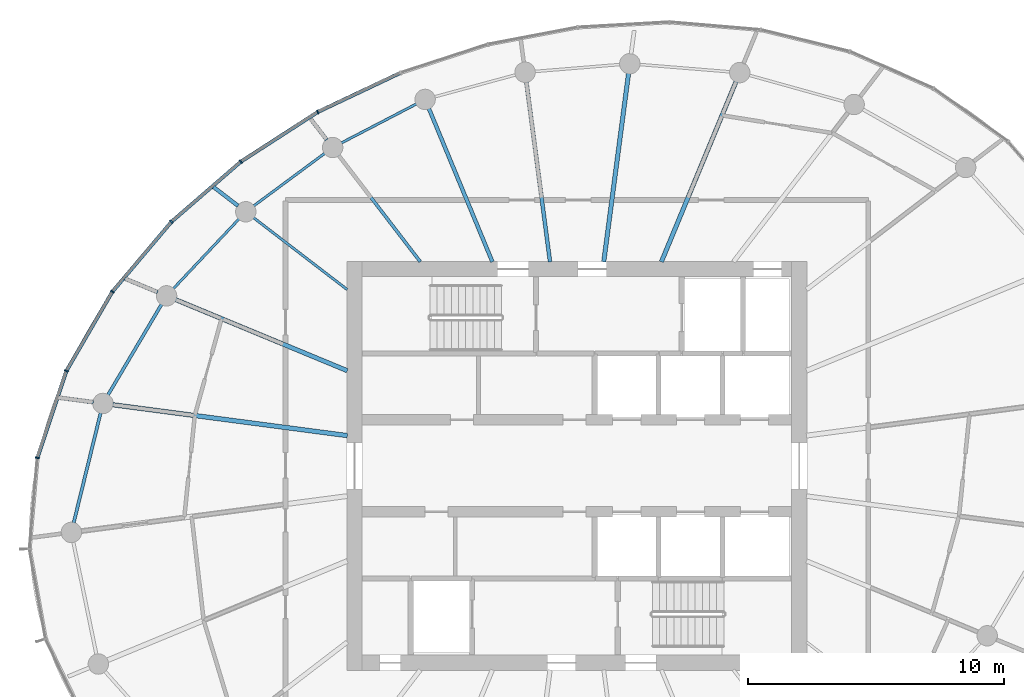
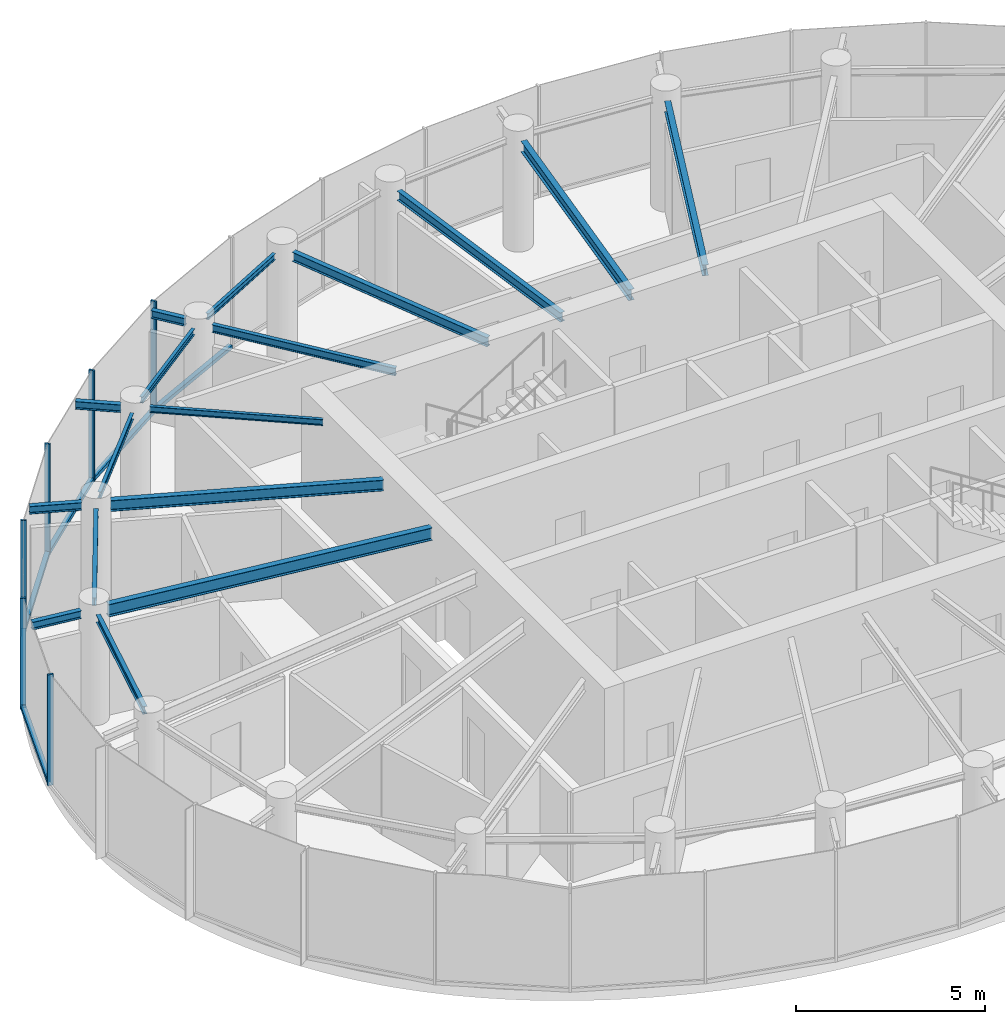
# One storey, part 4 of 13: 17 beams, 12 members, 2 elements without a shape of their own.
"""IFC4 building model written with IfcOpenShell, lengths in metres."""

from ifc_helpers import new_model, si_unit, direction, frame, origin, origin_2d, place, context, subcontext, project, spatial, rectangle, i_section, extrude, source, transform, mapped, material, layer, layer_set, material_profile, profile_set, type_object, element, aggregate, save


model = new_model("IFC4")

# Units and contexts
model_context = context("Model", 3, precision=1e-05, world=origin(), true_north=direction((0.0, 1.0)))
body_context = subcontext(model_context, "Body", "Model", "MODEL_VIEW")
ifc_project = project(units=[si_unit("LENGTHUNIT", "METRE"), si_unit("AREAUNIT", "SQUARE_METRE"), si_unit("VOLUMEUNIT", "CUBIC_METRE"), si_unit("PLANEANGLEUNIT", "RADIAN"), si_unit("MASSUNIT", "GRAM", prefix="KILO")], contexts=[model_context])

# Site, building, storey
site_placement = place(None, origin())
site = spatial("IfcSite", under=ifc_project, at=site_placement, CompositionType="ELEMENT")
building_placement = place(site_placement, origin())
building = spatial("IfcBuilding", under=site, at=building_placement, Name="Spindrift Exchange Tower", CompositionType="ELEMENT")
storey_placement = place(building_placement, frame((0.0, 0.0, 250.10009765625)))
storey = spatial("IfcBuildingStorey", under=building, at=storey_placement, Name="L61", CompositionType="ELEMENT", Elevation=250.10009765625)

# Beams
ifc_material_1 = material(Name="Steel Grade 300", Category="steel")
ifc_material_profile_1 = material_profile(ifc_material_1, i_section(OverallWidth=0.1708984375, OverallDepth=0.35205078125, WebThickness=0.0068359375, FlangeThickness=0.009765625, FilletRadius=0.013916015625, at=origin_2d()), Name="360UB44.7")
ifc_profile_set_1 = profile_set([ifc_material_profile_1], Name="Steel Grade 300")
beam_type_1 = type_object("IfcBeamType", Name="Floor Beam 360UB44.7 Steel Grade 300", PredefinedType="BEAM", material=ifc_profile_set_1)
shared_shape_1 = source(origin(), body_context, "Body", "SweptSolid", [
    extrude(i_section(OverallWidth=0.1708984375, OverallDepth=0.35205078125, WebThickness=0.0068359375, FlangeThickness=0.009765625, FilletRadius=0.013916015625, at=origin_2d()), origin(), (0.0, 0.0, 1.0), 7.630859375),
])
beam_1_placement = place(storey_placement, frame((55.30615234375, 55.9814453125, 3.40380859375), z_axis=(0.382676740702, 0.92388230426, 0.0), x_axis=(-0.92388230426, 0.382676740702, 0.0)))
element("IfcBeam", 1, at=beam_1_placement, inside=storey, type_object=beam_type_1, Name="L61 radial beam R05A", PredefinedType="BEAM", context=body_context, shape_type="MappedRepresentation", body=[
    mapped(shared_shape_1, transform((0.0, 0.0, 0.0), scale=1.0)),
])
shared_shape_2 = source(origin(), body_context, "Body", "SweptSolid", [
    extrude(i_section(OverallWidth=0.1708984375, OverallDepth=0.35205078125, WebThickness=0.0068359375, FlangeThickness=0.009765625, FilletRadius=0.013916015625, at=origin_2d()), origin(), (0.0, 0.0, 1.0), 7.43798828125),
])
beam_2_placement = place(storey_placement, frame((53.050537109375, 55.980224609375, 3.40380859375), z_axis=(0.130540269579, 0.991443007953, 0.0), x_axis=(-0.991443007953, 0.130540269579, 0.0)))
element("IfcBeam", 2, at=beam_2_placement, inside=storey, type_object=beam_type_1, Name="L61 radial beam R06A", PredefinedType="BEAM", context=body_context, shape_type="MappedRepresentation", body=[
    mapped(shared_shape_2, transform((0.0, 0.0, 0.0), scale=1.0)),
])
ifc_material_profile_2 = material_profile(ifc_material_1, i_section(OverallWidth=0.14892578125, OverallDepth=0.298095703125, WebThickness=0.005615234375, FlangeThickness=0.008056640625, FilletRadius=0.012939453125, at=origin_2d()), Name="310UB32.0")
ifc_profile_set_2 = profile_set([ifc_material_profile_2], Name="Steel Grade 300")
beam_type_2 = type_object("IfcBeamType", Name="Floor Beam 310UB32.0 Steel Grade 300", PredefinedType="BEAM", material=ifc_profile_set_2)
shared_shape_3 = source(origin(), body_context, "Body", "SweptSolid", [
    extrude(i_section(OverallWidth=0.14892578125, OverallDepth=0.298095703125, WebThickness=0.005615234375, FlangeThickness=0.008056640625, FilletRadius=0.012939453125, at=origin_2d()), origin(), (0.0, 0.0, 1.0), 7.099853515625),
])
beam_3_placement = place(storey_placement, frame((50.949462890625, 55.980224609375, 3.430908203125), z_axis=(-0.130532789835, 0.991443992759, 0.0), x_axis=(-0.991443992759, -0.130532789835, 0.0)))
element("IfcBeam", 3, at=beam_3_placement, inside=storey, type_object=beam_type_2, Name="L61 radial beam R07A", PredefinedType="BEAM", context=body_context, shape_type="MappedRepresentation", body=[
    mapped(shared_shape_3, transform((0.0, 0.0, 0.0), scale=1.0)),
])
shared_shape_4 = source(origin(), body_context, "Body", "SweptSolid", [
    extrude(i_section(OverallWidth=0.14892578125, OverallDepth=0.298095703125, WebThickness=0.005615234375, FlangeThickness=0.008056640625, FilletRadius=0.012939453125, at=origin_2d()), origin(), (0.0, 0.0, 1.0), 6.495849609375),
])
beam_4_placement = place(storey_placement, frame((48.69384765625, 55.9814453125, 3.430908203125), z_axis=(-0.382677087308, 0.923882160695, 0.0), x_axis=(-0.923882160695, -0.382677087308, 0.0)))
element("IfcBeam", 4, at=beam_4_placement, inside=storey, type_object=beam_type_2, Name="L61 radial beam R08A", PredefinedType="BEAM", context=body_context, shape_type="MappedRepresentation", body=[
    mapped(shared_shape_4, transform((0.0, 0.0, 0.0), scale=1.0)),
])
ifc_material_profile_3 = material_profile(ifc_material_1, i_section(OverallWidth=0.1240234375, OverallDepth=0.248046875, WebThickness=0.0048828125, FlangeThickness=0.008056640625, FilletRadius=0.011962890625, at=origin_2d()), Name="250UB25.7")
ifc_profile_set_3 = profile_set([ifc_material_profile_3], Name="Steel Grade 300")
beam_type_3 = type_object("IfcBeamType", Name="Floor Beam 250UB25.7 Steel Grade 300", PredefinedType="BEAM", material=ifc_profile_set_3)
shared_shape_5 = source(origin(), body_context, "Body", "SweptSolid", [
    extrude(i_section(OverallWidth=0.1240234375, OverallDepth=0.248046875, WebThickness=0.0048828125, FlangeThickness=0.008056640625, FilletRadius=0.011962890625, at=origin_2d()), origin(), (0.0, 0.0, 1.0), 5.25341796875),
])
beam_5_placement = place(storey_placement, frame((45.87353515625, 55.984130859375, 3.455810546875), z_axis=(-0.608760287872, 0.793354215915, 0.0), x_axis=(-0.793354215915, -0.608760287872, 0.0)))
element("IfcBeam", 5, at=beam_5_placement, inside=storey, type_object=beam_type_3, Name="L61 radial beam R09A", PredefinedType="BEAM", context=body_context, shape_type="MappedRepresentation", body=[
    mapped(shared_shape_5, transform((0.0, 0.0, 0.0), scale=1.0)),
])
ifc_material_profile_4 = material_profile(ifc_material_1, i_section(OverallWidth=0.09912109375, OverallDepth=0.197998046875, WebThickness=0.00439453125, FlangeThickness=0.007080078125, FilletRadius=0.010986328125, at=origin_2d()), Name="200UB18.2")
ifc_profile_set_4 = profile_set([ifc_material_profile_4], Name="Steel Grade 300")
beam_type_4 = type_object("IfcBeamType", Name="Floor Beam 200UB18.2 Steel Grade 300", PredefinedType="BEAM", material=ifc_profile_set_4)
shared_shape_6 = source(origin(), body_context, "Body", "SweptSolid", [
    extrude(i_section(OverallWidth=0.09912109375, OverallDepth=0.197998046875, WebThickness=0.00439453125, FlangeThickness=0.007080078125, FilletRadius=0.010986328125, at=origin_2d()), origin(), (0.0, 0.0, 1.0), 4.622802734375),
])
beam_6_placement = place(storey_placement, frame((43.015869140625, 54.893798828125, 3.48095703125), z_axis=(-0.793347882225, 0.608768542033, 0.0), x_axis=(-0.608768542033, -0.793347882225, 0.0)))
element("IfcBeam", 6, at=beam_6_placement, inside=storey, type_object=beam_type_4, Name="L61 radial beam R10A", PredefinedType="BEAM", context=body_context, shape_type="MappedRepresentation", body=[
    mapped(shared_shape_6, transform((0.0, 0.0, 0.0), scale=1.0)),
])
shared_shape_7 = source(origin(), body_context, "Body", "SweptSolid", [
    extrude(i_section(OverallWidth=0.1708984375, OverallDepth=0.35205078125, WebThickness=0.0068359375, FlangeThickness=0.009765625, FilletRadius=0.013916015625, at=origin_2d()), origin(), (0.0, 0.0, 1.0), 7.272705078125),
])
beam_7_placement = place(storey_placement, frame((43.0185546875, 51.72021484375, 3.40380859375), z_axis=(-0.923874446092, 0.382695711836, 0.0), x_axis=(-0.382695711836, -0.923874446092, 0.0)))
element("IfcBeam", 7, at=beam_7_placement, inside=storey, type_object=beam_type_1, Name="L61 radial beam R11A", PredefinedType="BEAM", context=body_context, shape_type="MappedRepresentation", body=[
    mapped(shared_shape_7, transform((0.0, 0.0, 0.0), scale=1.0)),
])
ifc_material_profile_5 = material_profile(ifc_material_1, i_section(OverallWidth=0.177978515625, OverallDepth=0.403076171875, WebThickness=0.007568359375, FlangeThickness=0.010986328125, FilletRadius=0.013916015625, at=origin_2d()), Name="410UB53.7")
ifc_profile_set_5 = profile_set([ifc_material_profile_5], Name="Steel Grade 300")
beam_type_5 = type_object("IfcBeamType", Name="Floor Beam 410UB53.7 Steel Grade 300", PredefinedType="BEAM", material=ifc_profile_set_5)
shared_shape_8 = source(origin(), body_context, "Body", "SweptSolid", [
    extrude(i_section(OverallWidth=0.177978515625, OverallDepth=0.403076171875, WebThickness=0.007568359375, FlangeThickness=0.010986328125, FilletRadius=0.013916015625, at=origin_2d()), origin(), (0.0, 0.0, 1.0), 9.261962890625),
])
beam_8_placement = place(storey_placement, frame((43.019775390625, 49.182373046875, 3.37841796875), z_axis=(-0.991447744872, 0.130504288008, 0.0), x_axis=(-0.130504288008, -0.991447744872, 0.0)))
element("IfcBeam", 8, at=beam_8_placement, inside=storey, type_object=beam_type_5, Name="L61 radial beam R12A", PredefinedType="BEAM", context=body_context, shape_type="MappedRepresentation", body=[
    mapped(shared_shape_8, transform((0.0, 0.0, 0.0), scale=1.0)),
])
ifc_material_profile_6 = material_profile(ifc_material_1, i_section(OverallWidth=0.09912109375, OverallDepth=0.197998046875, WebThickness=0.00439453125, FlangeThickness=0.007080078125, FilletRadius=0.010986328125, at=origin_2d()), Name="200UB18.2")
ifc_profile_set_6 = profile_set([ifc_material_profile_6], Name="Steel Grade 300")
beam_type_6 = type_object("IfcBeamType", Name="Edge Beam 200UB18.2 Steel Grade 300", PredefinedType="SPANDREL", material=ifc_profile_set_6)
shared_shape_9 = source(origin(), body_context, "Body", "SweptSolid", [
    extrude(i_section(OverallWidth=0.09912109375, OverallDepth=0.197998046875, WebThickness=0.00439453125, FlangeThickness=0.007080078125, FilletRadius=0.010986328125, at=origin_2d()), origin(), (0.0, 0.0, 1.0), 3.31787109375),
])
beam_9_placement = place(storey_placement, frame((45.7255859375, 62.15869140625, 3.48095703125), z_axis=(-0.887327612278, -0.46113957593, 0.0), x_axis=(0.46113957593, -0.887327612278, 0.0)))
element("IfcBeam", 9, at=beam_9_placement, inside=storey, type_object=beam_type_6, Name="L61 edge beam E08", PredefinedType="SPANDREL", context=body_context, shape_type="MappedRepresentation", body=[
    mapped(shared_shape_9, transform((0.0, 0.0, 0.0), scale=1.0)),
])
shared_shape_10 = source(origin(), body_context, "Body", "SweptSolid", [
    extrude(i_section(OverallWidth=0.09912109375, OverallDepth=0.197998046875, WebThickness=0.00439453125, FlangeThickness=0.007080078125, FilletRadius=0.010986328125, at=origin_2d()), origin(), (0.0, 0.0, 1.0), 3.466552734375),
])
beam_10_placement = place(storey_placement, frame((42.138916015625, 60.227294921875, 3.48095703125), z_axis=(-0.803854022168, -0.594826622676, 0.0), x_axis=(0.594826622676, -0.803854022168, 0.0)))
element("IfcBeam", 10, at=beam_10_placement, inside=storey, type_object=beam_type_6, Name="L61 edge beam E09", PredefinedType="SPANDREL", context=body_context, shape_type="MappedRepresentation", body=[
    mapped(shared_shape_10, transform((0.0, 0.0, 0.0), scale=1.0)),
])
shared_shape_11 = source(origin(), body_context, "Body", "SweptSolid", [
    extrude(i_section(OverallWidth=0.09912109375, OverallDepth=0.197998046875, WebThickness=0.00439453125, FlangeThickness=0.007080078125, FilletRadius=0.010986328125, at=origin_2d()), origin(), (0.0, 0.0, 1.0), 3.759765625),
])
beam_11_placement = place(storey_placement, frame((38.786376953125, 57.66259765625, 3.48095703125), z_axis=(-0.685520646854, -0.72805318675, 0.0), x_axis=(0.72805318675, -0.685520646854, 0.0)))
element("IfcBeam", 11, at=beam_11_placement, inside=storey, type_object=beam_type_6, Name="L61 edge beam E10", PredefinedType="SPANDREL", context=body_context, shape_type="MappedRepresentation", body=[
    mapped(shared_shape_11, transform((0.0, 0.0, 0.0), scale=1.0)),
])
ifc_material_profile_7 = material_profile(ifc_material_1, i_section(OverallWidth=0.1240234375, OverallDepth=0.248046875, WebThickness=0.0048828125, FlangeThickness=0.008056640625, FilletRadius=0.011962890625, at=origin_2d()), Name="250UB25.7")
ifc_profile_set_7 = profile_set([ifc_material_profile_7], Name="Steel Grade 300")
beam_type_7 = type_object("IfcBeamType", Name="Edge Beam 250UB25.7 Steel Grade 300", PredefinedType="SPANDREL", material=ifc_profile_set_7)
shared_shape_12 = source(origin(), body_context, "Body", "SweptSolid", [
    extrude(i_section(OverallWidth=0.1240234375, OverallDepth=0.248046875, WebThickness=0.0048828125, FlangeThickness=0.008056640625, FilletRadius=0.011962890625, at=origin_2d()), origin(), (0.0, 0.0, 1.0), 4.128662109375),
])
beam_12_placement = place(storey_placement, frame((35.755126953125, 54.321533203125, 3.455810546875), z_axis=(-0.509067946458, -0.860726336235, 0.0), x_axis=(0.860726336235, -0.509067946458, 0.0)))
element("IfcBeam", 12, at=beam_12_placement, inside=storey, type_object=beam_type_7, Name="L61 edge beam E11", PredefinedType="SPANDREL", context=body_context, shape_type="MappedRepresentation", body=[
    mapped(shared_shape_12, transform((0.0, 0.0, 0.0), scale=1.0)),
])
shared_shape_13 = source(origin(), body_context, "Body", "SweptSolid", [
    extrude(i_section(OverallWidth=0.1240234375, OverallDepth=0.248046875, WebThickness=0.0048828125, FlangeThickness=0.008056640625, FilletRadius=0.011962890625, at=origin_2d()), origin(), (0.0, 0.0, 1.0), 4.43408203125),
])
beam_13_placement = place(storey_placement, frame((33.369384765625, 50.07177734375, 3.455810546875), z_axis=(-0.238193109804, -0.971217814109, 0.0), x_axis=(0.971217814109, -0.238193109804, 0.0)))
element("IfcBeam", 13, at=beam_13_placement, inside=storey, type_object=beam_type_7, Name="L61 edge beam E12", PredefinedType="SPANDREL", context=body_context, shape_type="MappedRepresentation", body=[
    mapped(shared_shape_13, transform((0.0, 0.0, 0.0), scale=1.0)),
])
ifc_material_profile_8 = material_profile(ifc_material_1, i_section(OverallWidth=0.14599609375, OverallDepth=0.251953125, WebThickness=0.006103515625, FlangeThickness=0.008544921875, FilletRadius=0.011962890625, at=origin_2d()), Name="250UB31.4")
ifc_profile_set_8 = profile_set([ifc_material_profile_8], Name="Steel Grade 300")
beam_type_8 = type_object("IfcBeamType", Name="Cantilever Beam 250UB31.4 Steel Grade 300", PredefinedType="BEAM", material=ifc_profile_set_8)
shared_shape_14 = source(origin(), body_context, "Body", "SweptSolid", [
    extrude(i_section(OverallWidth=0.14599609375, OverallDepth=0.251953125, WebThickness=0.006103515625, FlangeThickness=0.008544921875, FilletRadius=0.011962890625, at=origin_2d()), origin(), (0.0, 0.0, 1.0), 0.971435546875),
])
beam_14_placement = place(storey_placement, frame((42.212890625, 60.754638671875, 3.453857421875), z_axis=(-0.608690039121, 0.793408114576, 0.0), x_axis=(-0.793408114576, -0.608690039121, 0.0)))
element("IfcBeam", 14, at=beam_14_placement, inside=storey, type_object=beam_type_8, Name="L61 cantilever beam R09T", PredefinedType="BEAM", context=body_context, shape_type="MappedRepresentation", body=[
    mapped(shared_shape_14, transform((0.0, 0.0, 0.0), scale=1.0)),
])
shared_shape_15 = source(origin(), body_context, "Body", "SweptSolid", [
    extrude(i_section(OverallWidth=0.14599609375, OverallDepth=0.251953125, WebThickness=0.006103515625, FlangeThickness=0.008544921875, FilletRadius=0.011962890625, at=origin_2d()), origin(), (0.0, 0.0, 1.0), 1.2138671875),
])
beam_15_placement = place(storey_placement, frame((38.74560546875, 58.170654296875, 3.453857421875), z_axis=(-0.793460663046, 0.608621537738, 0.0), x_axis=(-0.608621537738, -0.793460663046, 0.0)))
element("IfcBeam", 15, at=beam_15_placement, inside=storey, type_object=beam_type_8, Name="L61 cantilever beam R10T", PredefinedType="BEAM", context=body_context, shape_type="MappedRepresentation", body=[
    mapped(shared_shape_15, transform((0.0, 0.0, 0.0), scale=1.0)),
])
shared_shape_16 = source(origin(), body_context, "Body", "SweptSolid", [
    extrude(i_section(OverallWidth=0.14599609375, OverallDepth=0.251953125, WebThickness=0.006103515625, FlangeThickness=0.008544921875, FilletRadius=0.011962890625, at=origin_2d()), origin(), (0.0, 0.0, 1.0), 1.397705078125),
])
beam_16_placement = place(storey_placement, frame((35.597412109375, 54.794189453125, 3.453857421875), z_axis=(-0.923865669267, 0.382716899483, 0.0), x_axis=(-0.382716899483, -0.923865669267, 0.0)))
element("IfcBeam", 16, at=beam_16_placement, inside=storey, type_object=beam_type_8, Name="L61 cantilever beam R11T", PredefinedType="BEAM", context=body_context, shape_type="MappedRepresentation", body=[
    mapped(shared_shape_16, transform((0.0, 0.0, 0.0), scale=1.0)),
])
shared_shape_17 = source(origin(), body_context, "Body", "SweptSolid", [
    extrude(i_section(OverallWidth=0.14599609375, OverallDepth=0.251953125, WebThickness=0.006103515625, FlangeThickness=0.008544921875, FilletRadius=0.011962890625, at=origin_2d()), origin(), (0.0, 0.0, 1.0), 1.407958984375),
])
beam_17_placement = place(storey_placement, frame((33.083251953125, 50.490478515625, 3.453857421875), z_axis=(-0.991440125833, 0.13056215718, 0.0), x_axis=(-0.13056215718, -0.991440125833, 0.0)))
element("IfcBeam", 17, at=beam_17_placement, inside=storey, type_object=beam_type_8, Name="L61 cantilever beam R12T", PredefinedType="BEAM", context=body_context, shape_type="MappedRepresentation", body=[
    mapped(shared_shape_17, transform((0.0, 0.0, 0.0), scale=1.0)),
])

# Curtain wall, member
ifc_material_2 = material(Name="Fritted laminated glass with bronze frame", Category="glass")
ifc_layer = layer(ifc_material_2, 0.159912109375)
ifc_layer_set = layer_set([ifc_layer], Name="ZONE 5 BRONZE FRITTED WALL")
curtain_wall_type = type_object("IfcCurtainWallType", Name="ZONE 5 BRONZE FRITTED WALL", PredefinedType="NOTDEFINED", material=ifc_layer_set)
curtain_wall_1_placement = place(storey_placement, origin())
curtain_wall_1 = element("IfcCurtainWall", 18, at=curtain_wall_1_placement, inside=storey, type_object=curtain_wall_type, Name="L61 Zone 5 Bronze Fritted Wall run 2", PredefinedType="NOTDEFINED")
ifc_material_3 = material(Name="Bronze anodised aluminium", Category="aluminium")
ifc_material_profile_9 = material_profile(ifc_material_3, rectangle(XDim=0.139892578125, YDim=0.1201171875, at=origin_2d()), Name="ZONE 5 BRONZE FRITTED WALL TRANSOM 140X120")
ifc_profile_set_9 = profile_set([ifc_material_profile_9], Name="Bronze anodised aluminium")
member_type_1 = type_object("IfcMemberType", Name="ZONE 5 BRONZE FRITTED WALL TRANSOM 140X120", PredefinedType="USERDEFINED", material=ifc_profile_set_9)
shared_shape_18 = source(origin(), body_context, "Body", "SweptSolid", [
    extrude(rectangle(XDim=0.139892578125, YDim=0.1201171875, at=origin_2d()), origin(), (0.0, 0.0, 1.0), 3.5263671875),
])
member_1_placement = place(storey_placement, frame((45.076904296875, 63.365966796875, 0.059814453125), z_axis=(-0.903843541245, -0.427863124082, 0.0), x_axis=(0.427863124082, -0.903843541245, 0.0)))
member_1 = element("IfcMember", 19, at=member_1_placement, type_object=member_type_1, Name="L61 transom CW-5.10", ObjectType="TRANSOM", PredefinedType="USERDEFINED", context=body_context, shape_type="MappedRepresentation", body=[
    mapped(shared_shape_18, transform((0.0, 0.0, 0.0), scale=1.0)),
])

curtain_wall_2_placement = place(storey_placement, origin())
curtain_wall_2 = element("IfcCurtainWall", 20, at=curtain_wall_2_placement, inside=storey, type_object=curtain_wall_type, Name="L61 Zone 5 Bronze Fritted Wall run 3", PredefinedType="NOTDEFINED")
shared_shape_19 = source(origin(), body_context, "Body", "SweptSolid", [
    extrude(rectangle(XDim=0.139892578125, YDim=0.1201171875, at=origin_2d()), origin(), (0.0, 0.0, 1.0), 3.521484375),
])
member_2_placement = place(storey_placement, frame((32.018310546875, 51.68505859375, 0.059814453125), z_axis=(-0.316622910597, -0.948551491742, 0.0), x_axis=(0.948551491742, -0.316622910597, 0.0)))
member_2 = element("IfcMember", 21, at=member_2_placement, type_object=member_type_1, Name="L61 transom CW-5.15", ObjectType="TRANSOM", PredefinedType="USERDEFINED", context=body_context, shape_type="MappedRepresentation", body=[
    mapped(shared_shape_19, transform((0.0, 0.0, 0.0), scale=1.0)),
])

# Member
shared_shape_20 = source(origin(), body_context, "Body", "SweptSolid", [
    extrude(rectangle(XDim=0.139892578125, YDim=0.1201171875, at=origin_2d()), origin(), (0.0, 0.0, 1.0), 3.526123046875),
])
member_3_placement = place(storey_placement, frame((41.83740234375, 61.828125, 0.059814453125), z_axis=(-0.839984153407, -0.542610930617, 0.0), x_axis=(0.542610930617, -0.839984153407, 0.0)))
member_3 = element("IfcMember", 22, at=member_3_placement, type_object=member_type_1, Name="L61 transom CW-5.11", ObjectType="TRANSOM", PredefinedType="USERDEFINED", context=body_context, shape_type="MappedRepresentation", body=[
    mapped(shared_shape_20, transform((0.0, 0.0, 0.0), scale=1.0)),
])

shared_shape_21 = source(origin(), body_context, "Body", "SweptSolid", [
    extrude(rectangle(XDim=0.139892578125, YDim=0.1201171875, at=origin_2d()), origin(), (0.0, 0.0, 1.0), 3.5234375),
])
member_4_placement = place(storey_placement, frame((33.811279296875, 54.786865234375, 0.059814453125), z_axis=(-0.501948283515, -0.864897635952, 0.0), x_axis=(0.864897635952, -0.501948283515, 0.0)))
member_4 = element("IfcMember", 23, at=member_4_placement, type_object=member_type_1, Name="L61 transom CW-5.14", ObjectType="TRANSOM", PredefinedType="USERDEFINED", context=body_context, shape_type="MappedRepresentation", body=[
    mapped(shared_shape_21, transform((0.0, 0.0, 0.0), scale=1.0)),
])

shared_shape_22 = source(origin(), body_context, "Body", "SweptSolid", [
    extrude(rectangle(XDim=0.139892578125, YDim=0.1201171875, at=origin_2d()), origin(), (0.0, 0.0, 1.0), 3.525634765625),
])
member_5_placement = place(storey_placement, frame((38.82763671875, 59.87890625, 0.059814453125), z_axis=(-0.75572107029, -0.654893627942, 0.0), x_axis=(0.654893627942, -0.75572107029, 0.0)))
member_5 = element("IfcMember", 24, at=member_5_placement, type_object=member_type_1, Name="L61 transom CW-5.12", ObjectType="TRANSOM", PredefinedType="USERDEFINED", context=body_context, shape_type="MappedRepresentation", body=[
    mapped(shared_shape_22, transform((0.0, 0.0, 0.0), scale=1.0)),
])

ifc_material_profile_10 = material_profile(ifc_material_3, rectangle(XDim=0.06005859375, YDim=0.159912109375, at=origin_2d()), Name="ZONE 5 BRONZE FRITTED WALL MULLION 60X160")
ifc_profile_set_10 = profile_set([ifc_material_profile_10], Name="Bronze anodised aluminium")
member_type_2 = type_object("IfcMemberType", Name="ZONE 5 BRONZE FRITTED WALL MULLION 60X160", PredefinedType="MULLION", material=ifc_profile_set_10)
shared_shape_23 = source(origin(), body_context, "Body", "SweptSolid", [
    extrude(rectangle(XDim=0.06005859375, YDim=0.159912109375, at=origin_2d()), origin(), (0.0, 0.0, 1.0), 3.579833984375),
])
member_6_placement = place(storey_placement, frame((41.862548828125, 61.84423828125, 0.0), z_axis=(0.0, 0.0, 1.0), x_axis=(-0.873804374176, -0.486277611732, 0.0)))
member_6 = element("IfcMember", 25, at=member_6_placement, type_object=member_type_2, Name="L61 mullion CW-5.11", PredefinedType="MULLION", context=body_context, shape_type="MappedRepresentation", body=[
    mapped(shared_shape_23, transform((0.0, 0.0, 0.0), scale=1.0)),
])

member_7_placement = place(storey_placement, frame((38.850341796875, 59.8984375, 0.0), z_axis=(0.0, 0.0, 1.0), x_axis=(-0.799837407124, -0.600216729328, 0.0)))
member_7 = element("IfcMember", 26, at=member_7_placement, type_object=member_type_2, Name="L61 mullion CW-5.12", PredefinedType="MULLION", context=body_context, shape_type="MappedRepresentation", body=[
    mapped(shared_shape_23, transform((0.0, 0.0, 0.0), scale=1.0)),
])

aggregate(curtain_wall_1, [member_1, member_6, member_3, member_7, member_5])

member_8_placement = place(storey_placement, frame((36.140625, 57.550537109375, 0.0), z_axis=(0.0, 0.0, 1.0), x_axis=(-0.70277965648, -0.711407586717, 0.0)))
member_8 = element("IfcMember", 27, at=member_8_placement, type_object=member_type_2, Name="L61 mullion CW-5.13", PredefinedType="MULLION", context=body_context, shape_type="MappedRepresentation", body=[
    mapped(shared_shape_23, transform((0.0, 0.0, 0.0), scale=1.0)),
])

member_9_placement = place(storey_placement, frame((33.826416015625, 54.81298828125, 0.0), z_axis=(0.0, 0.0, 1.0), x_axis=(-0.576000032018, -0.817449670081, 0.0)))
member_9 = element("IfcMember", 28, at=member_9_placement, type_object=member_type_2, Name="L61 mullion CW-5.14", PredefinedType="MULLION", context=body_context, shape_type="MappedRepresentation", body=[
    mapped(shared_shape_23, transform((0.0, 0.0, 0.0), scale=1.0)),
])

member_10_placement = place(storey_placement, frame((32.027587890625, 51.713623046875, 0.0), z_axis=(0.0, 0.0, 1.0), x_axis=(-0.41140490091, -0.911452690767, 0.0)))
member_10 = element("IfcMember", 29, at=member_10_placement, type_object=member_type_2, Name="L61 mullion CW-5.15", PredefinedType="MULLION", context=body_context, shape_type="MappedRepresentation", body=[
    mapped(shared_shape_23, transform((0.0, 0.0, 0.0), scale=1.0)),
])

member_11_placement = place(storey_placement, frame((30.893798828125, 48.31640625, 0.0), z_axis=(0.0, 0.0, 1.0), x_axis=(-0.202884264967, -0.979202724173, 0.0)))
member_11 = element("IfcMember", 30, at=member_11_placement, type_object=member_type_2, Name="L61 mullion CW-5.16", PredefinedType="MULLION", context=body_context, shape_type="MappedRepresentation", body=[
    mapped(shared_shape_23, transform((0.0, 0.0, 0.0), scale=1.0)),
])

shared_shape_24 = source(origin(), body_context, "Body", "SweptSolid", [
    extrude(rectangle(XDim=0.139892578125, YDim=0.1201171875, at=origin_2d()), origin(), (0.0, 0.0, 1.0), 3.52490234375),
])
member_12_placement = place(storey_placement, frame((36.121337890625, 57.527587890625, 0.059814453125), z_axis=(-0.645591325269, -0.76368307611, 0.0), x_axis=(0.76368307611, -0.645591325269, 0.0)))
member_12 = element("IfcMember", 31, at=member_12_placement, type_object=member_type_1, Name="L61 transom CW-5.13", ObjectType="TRANSOM", PredefinedType="USERDEFINED", context=body_context, shape_type="MappedRepresentation", body=[
    mapped(shared_shape_24, transform((0.0, 0.0, 0.0), scale=1.0)),
])

aggregate(curtain_wall_2, [member_8, member_12, member_9, member_4, member_10, member_2, member_11])

save(model, "model.ifc")
